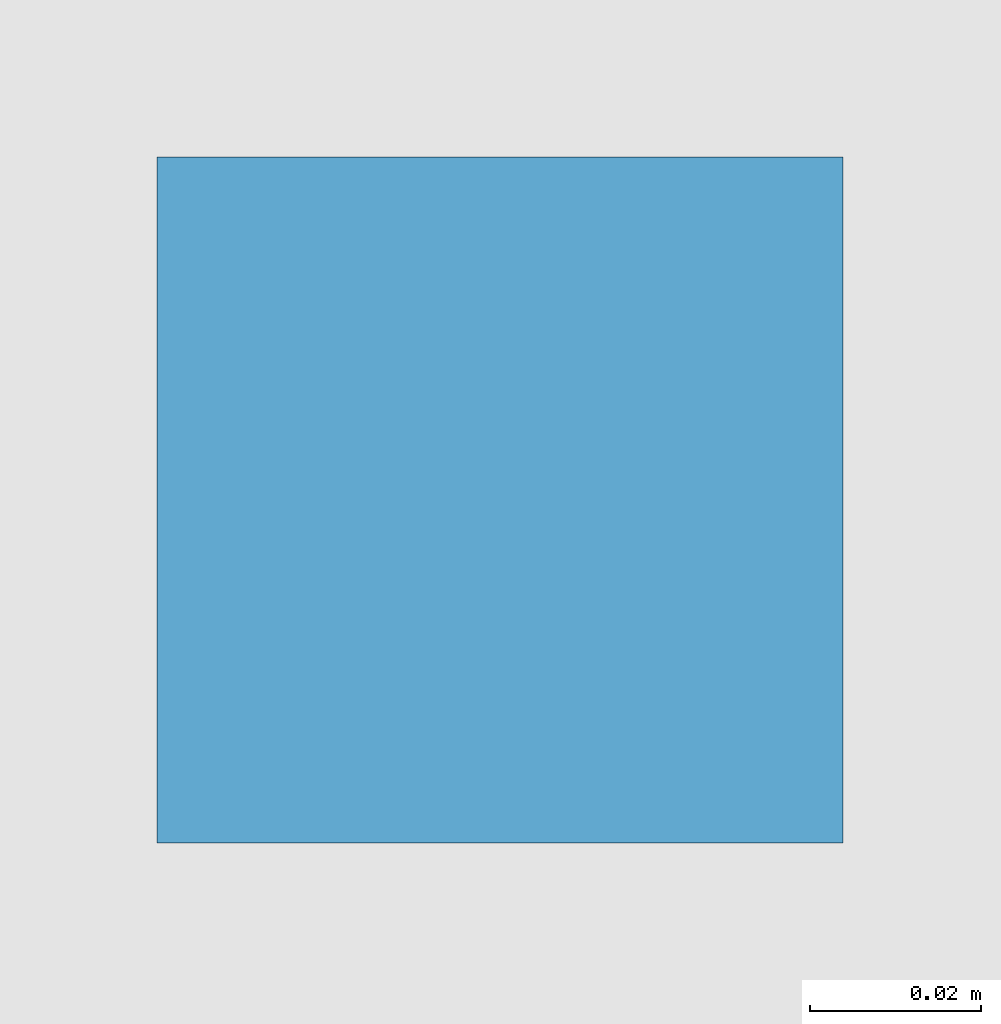
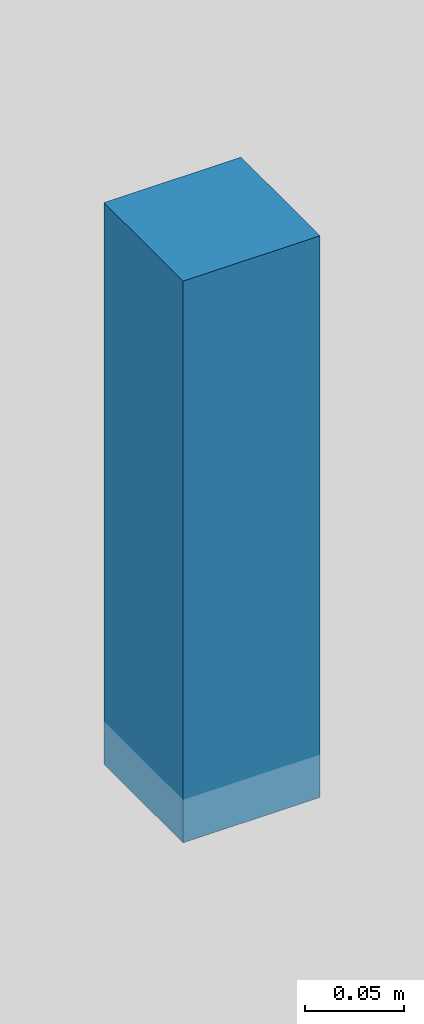
# One storey, part 95 of 116: 1 discrete accessory.
"""IFC4 building model written with IfcOpenShell, lengths in metres."""

from ifc_helpers import new_model, si_unit, direction, frame, origin, origin_2d, place, context, subcontext, project, spatial, rectangle, extrude, material, type_object, element, save


model = new_model("IFC4")

# Units and contexts
model_context = context("Model", 3, precision=1e-05, world=origin(), true_north=direction((0.0, 1.0)))
body_context = subcontext(model_context, "Body", "Model", "MODEL_VIEW")
ifc_project = project(units=[si_unit("LENGTHUNIT", "METRE"), si_unit("AREAUNIT", "SQUARE_METRE"), si_unit("VOLUMEUNIT", "CUBIC_METRE"), si_unit("PLANEANGLEUNIT", "RADIAN"), si_unit("MASSUNIT", "GRAM", prefix="KILO")], contexts=[model_context])

# Site, building, storey
site_placement = place(None, origin())
site = spatial("IfcSite", under=ifc_project, at=site_placement, CompositionType="ELEMENT")
building_placement = place(site_placement, origin())
building = spatial("IfcBuilding", under=site, at=building_placement, Name="Chalmorin Arch Market", CompositionType="ELEMENT")
storey_placement = place(building_placement, origin())
storey = spatial("IfcBuildingStorey", under=building, at=storey_placement, Name="L00", CompositionType="ELEMENT", Elevation=0.0)

# Discrete accessory
ifc_material = material(Name="Galvanized Cold-Formed Steel", Category="steel")
discrete_accessory_type = type_object("IfcDiscreteAccessoryType", Name="CeilingSuspensionBracket-80x80", PredefinedType="BRACKET", material=ifc_material)
discrete_accessory_placement = place(storey_placement, frame((86.39990234375, 10.550048828125, 4.2529296875), z_axis=(0.0, 0.0, 1.0), x_axis=(1.0, 0.0, 0.0)))
element("IfcDiscreteAccessory", 1, at=discrete_accessory_placement, inside=storey, type_object=discrete_accessory_type, Name="CSB-063", PredefinedType="BRACKET", context=body_context, shape_type="SweptSolid", body=[
    extrude(rectangle(XDim=0.080078125, YDim=0.080078125, at=origin_2d()), origin(), (0.0, 0.0, 1.0), 0.346923828125),
])

save(model, "model.ifc")
